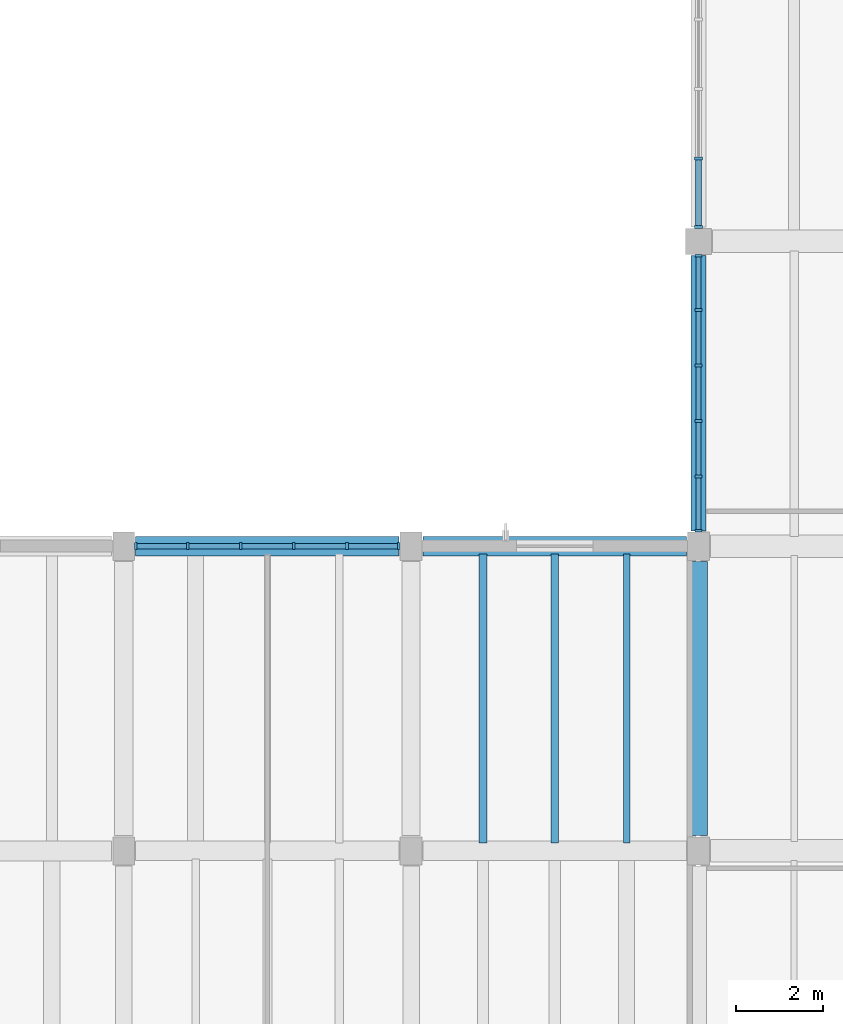
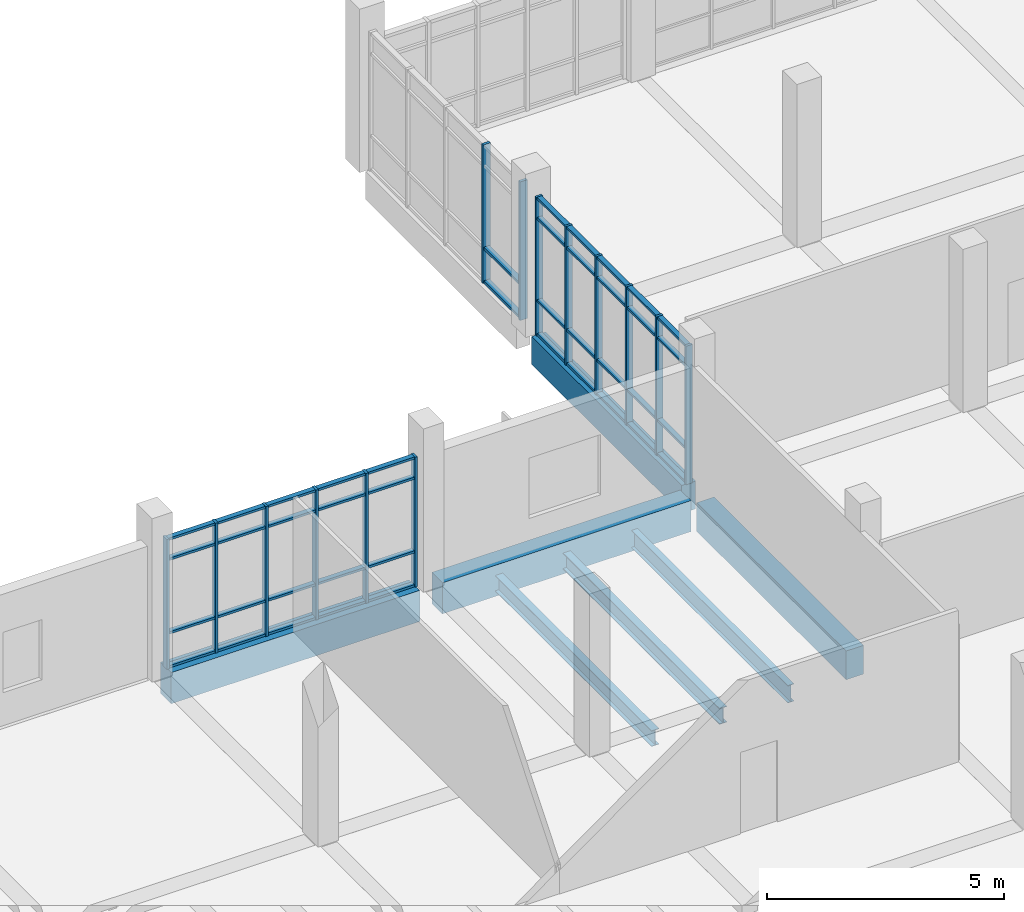
# One storey, part 6 of 67: 56 members, 7 beams, 3 elements without a shape of their own.
"""IFC4 building model written with IfcOpenShell, lengths in metres."""

from ifc_helpers import new_model, si_unit, direction, frame, origin, origin_2d, place, context, subcontext, project, spatial, rectangle, i_section, extrude, material, material_profile, profile_set, type_object, element, aggregate, save


model = new_model("IFC4")

# Units and contexts
model_context = context("Model", 3, precision=1e-05, world=origin(), true_north=direction((0.0, 1.0)))
body_context = subcontext(model_context, "Body", "Model", "MODEL_VIEW")
ifc_project = project(units=[si_unit("LENGTHUNIT", "METRE"), si_unit("AREAUNIT", "SQUARE_METRE"), si_unit("VOLUMEUNIT", "CUBIC_METRE"), si_unit("PLANEANGLEUNIT", "RADIAN"), si_unit("MASSUNIT", "GRAM", prefix="KILO")], contexts=[model_context])

# Site, building, storey
site_placement = place(None, origin())
site = spatial("IfcSite", under=ifc_project, at=site_placement, CompositionType="ELEMENT")
building_placement = place(site_placement, origin())
building = spatial("IfcBuilding", under=site, at=building_placement, Name="Ciguamira Faculty of Natural Sciences", CompositionType="ELEMENT")
storey_placement = place(building_placement, frame((0.0, 0.0, 8.39990234375)))
storey = spatial("IfcBuildingStorey", under=building, at=storey_placement, Name="L02", CompositionType="ELEMENT", Elevation=8.39990234375)

# Curtain wall, members
ifc_material_1 = material(Name="Anodized aluminium curtain wall", Category="aluminium")
curtain_wall_type_1 = type_object("IfcCurtainWallType", Name="CurtainWall_CW-10", PredefinedType="USERDEFINED", material=ifc_material_1)
curtain_wall_1_placement = place(storey_placement, origin())
curtain_wall_1 = element("IfcCurtainWall", 1, at=curtain_wall_1_placement, inside=storey, type_object=curtain_wall_type_1, Name="L02 unitised curtain wall 0058", ObjectType="UNITISED CURTAIN WALL", PredefinedType="USERDEFINED")
ifc_material_2 = material(Name="Anodized aluminium mullion", Category="aluminium")
ifc_material_profile_1 = material_profile(ifc_material_2, rectangle(XDim=0.06005859375, YDim=0.159912109375, at=origin_2d()), Name="ALU-MUL-60X160")
ifc_profile_set_1 = profile_set([ifc_material_profile_1], Name="Anodized aluminium mullion")
member_type_1 = type_object("IfcMemberType", Name="CWMullion_CWM-01", PredefinedType="MULLION", material=ifc_profile_set_1)
member_1_placement = place(storey_placement, frame((37.780029296875, 24.0, 0.0), z_axis=(0.0, 0.0, 1.0), x_axis=(1.0, 0.0, 0.0)))
member_1 = element("IfcMember", 2, at=member_1_placement, type_object=member_type_1, Name="CW-10 mullion 1", PredefinedType="MULLION", context=body_context, shape_type="SweptSolid", body=[
    extrude(rectangle(XDim=0.06005859375, YDim=0.159912109375, at=origin_2d()), origin(), (0.0, 0.0, 1.0), 3.34521484375),
])
member_2_placement = place(storey_placement, frame((38.969970703125, 24.0, 0.0), z_axis=(0.0, 0.0, 1.0), x_axis=(1.0, 0.0, 0.0)))
member_2 = element("IfcMember", 3, at=member_2_placement, type_object=member_type_1, Name="CW-10 mullion 2", PredefinedType="MULLION", context=body_context, shape_type="SweptSolid", body=[
    extrude(rectangle(XDim=0.06005859375, YDim=0.159912109375, at=origin_2d()), origin(), (0.0, 0.0, 1.0), 3.34521484375),
])
member_3_placement = place(storey_placement, frame((40.18994140625, 24.0, 0.0), z_axis=(0.0, 0.0, 1.0), x_axis=(1.0, 0.0, 0.0)))
member_3 = element("IfcMember", 4, at=member_3_placement, type_object=member_type_1, Name="CW-10 mullion 3", PredefinedType="MULLION", context=body_context, shape_type="SweptSolid", body=[
    extrude(rectangle(XDim=0.06005859375, YDim=0.159912109375, at=origin_2d()), origin(), (0.0, 0.0, 1.0), 3.34521484375),
])
member_4_placement = place(storey_placement, frame((41.409912109375, 24.0, 0.0), z_axis=(0.0, 0.0, 1.0), x_axis=(1.0, 0.0, 0.0)))
member_4 = element("IfcMember", 5, at=member_4_placement, type_object=member_type_1, Name="CW-10 mullion 4", PredefinedType="MULLION", context=body_context, shape_type="SweptSolid", body=[
    extrude(rectangle(XDim=0.06005859375, YDim=0.159912109375, at=origin_2d()), origin(), (0.0, 0.0, 1.0), 3.34521484375),
])
member_5_placement = place(storey_placement, frame((42.6298828125, 24.0, 0.0), z_axis=(0.0, 0.0, 1.0), x_axis=(1.0, 0.0, 0.0)))
member_5 = element("IfcMember", 6, at=member_5_placement, type_object=member_type_1, Name="CW-10 mullion 5", PredefinedType="MULLION", context=body_context, shape_type="SweptSolid", body=[
    extrude(rectangle(XDim=0.06005859375, YDim=0.159912109375, at=origin_2d()), origin(), (0.0, 0.0, 1.0), 3.34521484375),
])
member_6_placement = place(storey_placement, frame((43.820068359375, 24.0, 0.0), z_axis=(0.0, 0.0, 1.0), x_axis=(1.0, 0.0, 0.0)))
member_6 = element("IfcMember", 7, at=member_6_placement, type_object=member_type_1, Name="CW-10 mullion 6", PredefinedType="MULLION", context=body_context, shape_type="SweptSolid", body=[
    extrude(rectangle(XDim=0.06005859375, YDim=0.159912109375, at=origin_2d()), origin(), (0.0, 0.0, 1.0), 3.34521484375),
])

curtain_wall_type_2 = type_object("IfcCurtainWallType", Name="CurtainWall_CW-04", PredefinedType="USERDEFINED", material=ifc_material_1)
curtain_wall_2_placement = place(storey_placement, origin())
curtain_wall_2 = element("IfcCurtainWall", 8, at=curtain_wall_2_placement, inside=storey, type_object=curtain_wall_type_2, Name="L02 unitised curtain wall 0076", ObjectType="UNITISED CURTAIN WALL", PredefinedType="USERDEFINED")
member_7_placement = place(storey_placement, frame((50.699951171875, 24.35498046875, 0.0), z_axis=(0.0, 0.0, 1.0), x_axis=(0.0, 1.0, 0.0)))
member_7 = element("IfcMember", 9, at=member_7_placement, type_object=member_type_1, Name="CW-04 mullion 1", PredefinedType="MULLION", context=body_context, shape_type="SweptSolid", body=[
    extrude(rectangle(XDim=0.06005859375, YDim=0.159912109375, at=origin_2d()), origin(), (0.0, 0.0, 1.0), 3.565185546875),
])
member_8_placement = place(storey_placement, frame((50.699951171875, 25.60009765625, 0.0), z_axis=(0.0, 0.0, 1.0), x_axis=(0.0, 1.0, 0.0)))
member_8 = element("IfcMember", 10, at=member_8_placement, type_object=member_type_1, Name="CW-04 mullion 2", PredefinedType="MULLION", context=body_context, shape_type="SweptSolid", body=[
    extrude(rectangle(XDim=0.06005859375, YDim=0.159912109375, at=origin_2d()), origin(), (0.0, 0.0, 1.0), 3.565185546875),
])
member_9_placement = place(storey_placement, frame((50.699951171875, 26.875, 0.0), z_axis=(0.0, 0.0, 1.0), x_axis=(0.0, 1.0, 0.0)))
member_9 = element("IfcMember", 11, at=member_9_placement, type_object=member_type_1, Name="CW-04 mullion 3", PredefinedType="MULLION", context=body_context, shape_type="SweptSolid", body=[
    extrude(rectangle(XDim=0.06005859375, YDim=0.159912109375, at=origin_2d()), origin(), (0.0, 0.0, 1.0), 3.565185546875),
])
member_10_placement = place(storey_placement, frame((50.699951171875, 28.14990234375, 0.0), z_axis=(0.0, 0.0, 1.0), x_axis=(0.0, 1.0, 0.0)))
member_10 = element("IfcMember", 12, at=member_10_placement, type_object=member_type_1, Name="CW-04 mullion 4", PredefinedType="MULLION", context=body_context, shape_type="SweptSolid", body=[
    extrude(rectangle(XDim=0.06005859375, YDim=0.159912109375, at=origin_2d()), origin(), (0.0, 0.0, 1.0), 3.565185546875),
])
member_11_placement = place(storey_placement, frame((50.699951171875, 29.425048828125, 0.0), z_axis=(0.0, 0.0, 1.0), x_axis=(0.0, 1.0, 0.0)))
member_11 = element("IfcMember", 13, at=member_11_placement, type_object=member_type_1, Name="CW-04 mullion 5", PredefinedType="MULLION", context=body_context, shape_type="SweptSolid", body=[
    extrude(rectangle(XDim=0.06005859375, YDim=0.159912109375, at=origin_2d()), origin(), (0.0, 0.0, 1.0), 3.565185546875),
])
member_12_placement = place(storey_placement, frame((50.699951171875, 30.669921875, 0.0), z_axis=(0.0, 0.0, 1.0), x_axis=(0.0, 1.0, 0.0)))
member_12 = element("IfcMember", 14, at=member_12_placement, type_object=member_type_1, Name="CW-04 mullion 6", PredefinedType="MULLION", context=body_context, shape_type="SweptSolid", body=[
    extrude(rectangle(XDim=0.06005859375, YDim=0.159912109375, at=origin_2d()), origin(), (0.0, 0.0, 1.0), 3.565185546875),
])

curtain_wall_type_3 = type_object("IfcCurtainWallType", Name="CurtainWall_CW-05", PredefinedType="USERDEFINED", material=ifc_material_1)
curtain_wall_3_placement = place(storey_placement, origin())
curtain_wall_3 = element("IfcCurtainWall", 15, at=curtain_wall_3_placement, inside=storey, type_object=curtain_wall_type_3, Name="L02 unitised curtain wall 0077", ObjectType="UNITISED CURTAIN WALL", PredefinedType="USERDEFINED")
ifc_material_profile_2 = material_profile(ifc_material_2, rectangle(XDim=0.070068359375, YDim=0.179931640625, at=origin_2d()), Name="ALU-MUL-70X180")
ifc_profile_set_2 = profile_set([ifc_material_profile_2], Name="Anodized aluminium mullion")
member_type_2 = type_object("IfcMemberType", Name="CWMullion_CWM-02", PredefinedType="MULLION", material=ifc_profile_set_2)
member_13_placement = place(storey_placement, frame((50.699951171875, 31.3349609375, 0.0), z_axis=(0.0, 0.0, 1.0), x_axis=(0.0, 1.0, 0.0)))
member_13 = element("IfcMember", 16, at=member_13_placement, type_object=member_type_2, Name="CW-05 mullion 1", PredefinedType="MULLION", context=body_context, shape_type="SweptSolid", body=[
    extrude(rectangle(XDim=0.070068359375, YDim=0.179931640625, at=origin_2d()), origin(), (0.0, 0.0, 1.0), 3.565185546875),
])
member_14_placement = place(storey_placement, frame((50.699951171875, 32.89990234375, 0.0), z_axis=(0.0, 0.0, 1.0), x_axis=(0.0, 1.0, 0.0)))
member_14 = element("IfcMember", 17, at=member_14_placement, type_object=member_type_2, Name="CW-05 mullion 2", PredefinedType="MULLION", context=body_context, shape_type="SweptSolid", body=[
    extrude(rectangle(XDim=0.070068359375, YDim=0.179931640625, at=origin_2d()), origin(), (0.0, 0.0, 1.0), 3.565185546875),
])

# Member
ifc_material_3 = material(Name="Anodized aluminium transom", Category="aluminium")
ifc_material_profile_3 = material_profile(ifc_material_3, rectangle(XDim=0.06005859375, YDim=0.1201171875, at=origin_2d()), Name="ALU-TRN-60X120")
ifc_profile_set_3 = profile_set([ifc_material_profile_3], Name="Anodized aluminium transom")
member_type_3 = type_object("IfcMemberType", Name="CWTransom_CWT-01", PredefinedType="USERDEFINED", material=ifc_profile_set_3)
member_15_placement = place(storey_placement, frame((37.81005859375, 24.0, 0.030029296875), z_axis=(1.0, 0.0, 0.0), x_axis=(0.0, 0.0, 1.0)))
member_15 = element("IfcMember", 18, at=member_15_placement, type_object=member_type_3, Name="CW-10 transom 1.1", ObjectType="TRANSOM", PredefinedType="USERDEFINED", context=body_context, shape_type="SweptSolid", body=[
    extrude(rectangle(XDim=0.06005859375, YDim=0.1201171875, at=origin_2d()), origin(), (0.0, 0.0, 1.0), 1.1298828125),
])

member_16_placement = place(storey_placement, frame((37.81005859375, 24.0, 0.900146484375), z_axis=(1.0, 0.0, 0.0), x_axis=(0.0, 0.0, 1.0)))
member_16 = element("IfcMember", 19, at=member_16_placement, type_object=member_type_3, Name="CW-10 transom 1.2", ObjectType="TRANSOM", PredefinedType="USERDEFINED", context=body_context, shape_type="SweptSolid", body=[
    extrude(rectangle(XDim=0.06005859375, YDim=0.1201171875, at=origin_2d()), origin(), (0.0, 0.0, 1.0), 1.1298828125),
])

member_17_placement = place(storey_placement, frame((37.81005859375, 24.0, 2.795166015625), z_axis=(1.0, 0.0, 0.0), x_axis=(0.0, 0.0, 1.0)))
member_17 = element("IfcMember", 20, at=member_17_placement, type_object=member_type_3, Name="CW-10 transom 1.3", ObjectType="TRANSOM", PredefinedType="USERDEFINED", context=body_context, shape_type="SweptSolid", body=[
    extrude(rectangle(XDim=0.06005859375, YDim=0.1201171875, at=origin_2d()), origin(), (0.0, 0.0, 1.0), 1.1298828125),
])

member_18_placement = place(storey_placement, frame((37.81005859375, 24.0, 3.315185546875), z_axis=(1.0, 0.0, 0.0), x_axis=(0.0, 0.0, 1.0)))
member_18 = element("IfcMember", 21, at=member_18_placement, type_object=member_type_3, Name="CW-10 transom 1.4", ObjectType="TRANSOM", PredefinedType="USERDEFINED", context=body_context, shape_type="SweptSolid", body=[
    extrude(rectangle(XDim=0.06005859375, YDim=0.1201171875, at=origin_2d()), origin(), (0.0, 0.0, 1.0), 1.1298828125),
])

member_19_placement = place(storey_placement, frame((39.0, 24.0, 0.030029296875), z_axis=(1.0, 0.0, 0.0), x_axis=(0.0, 0.0, 1.0)))
member_19 = element("IfcMember", 22, at=member_19_placement, type_object=member_type_3, Name="CW-10 transom 2.1", ObjectType="TRANSOM", PredefinedType="USERDEFINED", context=body_context, shape_type="SweptSolid", body=[
    extrude(rectangle(XDim=0.06005859375, YDim=0.1201171875, at=origin_2d()), origin(), (0.0, 0.0, 1.0), 1.159912109375),
])

member_20_placement = place(storey_placement, frame((39.0, 24.0, 0.900146484375), z_axis=(1.0, 0.0, 0.0), x_axis=(0.0, 0.0, 1.0)))
member_20 = element("IfcMember", 23, at=member_20_placement, type_object=member_type_3, Name="CW-10 transom 2.2", ObjectType="TRANSOM", PredefinedType="USERDEFINED", context=body_context, shape_type="SweptSolid", body=[
    extrude(rectangle(XDim=0.06005859375, YDim=0.1201171875, at=origin_2d()), origin(), (0.0, 0.0, 1.0), 1.159912109375),
])

member_21_placement = place(storey_placement, frame((39.0, 24.0, 2.795166015625), z_axis=(1.0, 0.0, 0.0), x_axis=(0.0, 0.0, 1.0)))
member_21 = element("IfcMember", 24, at=member_21_placement, type_object=member_type_3, Name="CW-10 transom 2.3", ObjectType="TRANSOM", PredefinedType="USERDEFINED", context=body_context, shape_type="SweptSolid", body=[
    extrude(rectangle(XDim=0.06005859375, YDim=0.1201171875, at=origin_2d()), origin(), (0.0, 0.0, 1.0), 1.159912109375),
])

member_22_placement = place(storey_placement, frame((39.0, 24.0, 3.315185546875), z_axis=(1.0, 0.0, 0.0), x_axis=(0.0, 0.0, 1.0)))
member_22 = element("IfcMember", 25, at=member_22_placement, type_object=member_type_3, Name="CW-10 transom 2.4", ObjectType="TRANSOM", PredefinedType="USERDEFINED", context=body_context, shape_type="SweptSolid", body=[
    extrude(rectangle(XDim=0.06005859375, YDim=0.1201171875, at=origin_2d()), origin(), (0.0, 0.0, 1.0), 1.159912109375),
])

member_23_placement = place(storey_placement, frame((40.219970703125, 24.0, 0.030029296875), z_axis=(1.0, 0.0, 0.0), x_axis=(0.0, 0.0, 1.0)))
member_23 = element("IfcMember", 26, at=member_23_placement, type_object=member_type_3, Name="CW-10 transom 3.1", ObjectType="TRANSOM", PredefinedType="USERDEFINED", context=body_context, shape_type="SweptSolid", body=[
    extrude(rectangle(XDim=0.06005859375, YDim=0.1201171875, at=origin_2d()), origin(), (0.0, 0.0, 1.0), 1.159912109375),
])

member_24_placement = place(storey_placement, frame((40.219970703125, 24.0, 0.900146484375), z_axis=(1.0, 0.0, 0.0), x_axis=(0.0, 0.0, 1.0)))
member_24 = element("IfcMember", 27, at=member_24_placement, type_object=member_type_3, Name="CW-10 transom 3.2", ObjectType="TRANSOM", PredefinedType="USERDEFINED", context=body_context, shape_type="SweptSolid", body=[
    extrude(rectangle(XDim=0.06005859375, YDim=0.1201171875, at=origin_2d()), origin(), (0.0, 0.0, 1.0), 1.159912109375),
])

member_25_placement = place(storey_placement, frame((40.219970703125, 24.0, 2.795166015625), z_axis=(1.0, 0.0, 0.0), x_axis=(0.0, 0.0, 1.0)))
member_25 = element("IfcMember", 28, at=member_25_placement, type_object=member_type_3, Name="CW-10 transom 3.3", ObjectType="TRANSOM", PredefinedType="USERDEFINED", context=body_context, shape_type="SweptSolid", body=[
    extrude(rectangle(XDim=0.06005859375, YDim=0.1201171875, at=origin_2d()), origin(), (0.0, 0.0, 1.0), 1.159912109375),
])

member_26_placement = place(storey_placement, frame((40.219970703125, 24.0, 3.315185546875), z_axis=(1.0, 0.0, 0.0), x_axis=(0.0, 0.0, 1.0)))
member_26 = element("IfcMember", 29, at=member_26_placement, type_object=member_type_3, Name="CW-10 transom 3.4", ObjectType="TRANSOM", PredefinedType="USERDEFINED", context=body_context, shape_type="SweptSolid", body=[
    extrude(rectangle(XDim=0.06005859375, YDim=0.1201171875, at=origin_2d()), origin(), (0.0, 0.0, 1.0), 1.159912109375),
])

member_27_placement = place(storey_placement, frame((41.43994140625, 24.0, 0.030029296875), z_axis=(1.0, 0.0, 0.0), x_axis=(0.0, 0.0, 1.0)))
member_27 = element("IfcMember", 30, at=member_27_placement, type_object=member_type_3, Name="CW-10 transom 4.1", ObjectType="TRANSOM", PredefinedType="USERDEFINED", context=body_context, shape_type="SweptSolid", body=[
    extrude(rectangle(XDim=0.06005859375, YDim=0.1201171875, at=origin_2d()), origin(), (0.0, 0.0, 1.0), 1.16015625),
])

member_28_placement = place(storey_placement, frame((41.43994140625, 24.0, 0.900146484375), z_axis=(1.0, 0.0, 0.0), x_axis=(0.0, 0.0, 1.0)))
member_28 = element("IfcMember", 31, at=member_28_placement, type_object=member_type_3, Name="CW-10 transom 4.2", ObjectType="TRANSOM", PredefinedType="USERDEFINED", context=body_context, shape_type="SweptSolid", body=[
    extrude(rectangle(XDim=0.06005859375, YDim=0.1201171875, at=origin_2d()), origin(), (0.0, 0.0, 1.0), 1.16015625),
])

member_29_placement = place(storey_placement, frame((41.43994140625, 24.0, 2.795166015625), z_axis=(1.0, 0.0, 0.0), x_axis=(0.0, 0.0, 1.0)))
member_29 = element("IfcMember", 32, at=member_29_placement, type_object=member_type_3, Name="CW-10 transom 4.3", ObjectType="TRANSOM", PredefinedType="USERDEFINED", context=body_context, shape_type="SweptSolid", body=[
    extrude(rectangle(XDim=0.06005859375, YDim=0.1201171875, at=origin_2d()), origin(), (0.0, 0.0, 1.0), 1.16015625),
])

member_30_placement = place(storey_placement, frame((41.43994140625, 24.0, 3.315185546875), z_axis=(1.0, 0.0, 0.0), x_axis=(0.0, 0.0, 1.0)))
member_30 = element("IfcMember", 33, at=member_30_placement, type_object=member_type_3, Name="CW-10 transom 4.4", ObjectType="TRANSOM", PredefinedType="USERDEFINED", context=body_context, shape_type="SweptSolid", body=[
    extrude(rectangle(XDim=0.06005859375, YDim=0.1201171875, at=origin_2d()), origin(), (0.0, 0.0, 1.0), 1.16015625),
])

member_31_placement = place(storey_placement, frame((42.659912109375, 24.0, 0.030029296875), z_axis=(1.0, 0.0, 0.0), x_axis=(0.0, 0.0, 1.0)))
member_31 = element("IfcMember", 34, at=member_31_placement, type_object=member_type_3, Name="CW-10 transom 5.1", ObjectType="TRANSOM", PredefinedType="USERDEFINED", context=body_context, shape_type="SweptSolid", body=[
    extrude(rectangle(XDim=0.06005859375, YDim=0.1201171875, at=origin_2d()), origin(), (0.0, 0.0, 1.0), 1.130126953125),
])

member_32_placement = place(storey_placement, frame((42.659912109375, 24.0, 0.900146484375), z_axis=(1.0, 0.0, 0.0), x_axis=(0.0, 0.0, 1.0)))
member_32 = element("IfcMember", 35, at=member_32_placement, type_object=member_type_3, Name="CW-10 transom 5.2", ObjectType="TRANSOM", PredefinedType="USERDEFINED", context=body_context, shape_type="SweptSolid", body=[
    extrude(rectangle(XDim=0.06005859375, YDim=0.1201171875, at=origin_2d()), origin(), (0.0, 0.0, 1.0), 1.130126953125),
])

member_33_placement = place(storey_placement, frame((42.659912109375, 24.0, 2.795166015625), z_axis=(1.0, 0.0, 0.0), x_axis=(0.0, 0.0, 1.0)))
member_33 = element("IfcMember", 36, at=member_33_placement, type_object=member_type_3, Name="CW-10 transom 5.3", ObjectType="TRANSOM", PredefinedType="USERDEFINED", context=body_context, shape_type="SweptSolid", body=[
    extrude(rectangle(XDim=0.06005859375, YDim=0.1201171875, at=origin_2d()), origin(), (0.0, 0.0, 1.0), 1.130126953125),
])

member_34_placement = place(storey_placement, frame((42.659912109375, 24.0, 3.315185546875), z_axis=(1.0, 0.0, 0.0), x_axis=(0.0, 0.0, 1.0)))
member_34 = element("IfcMember", 37, at=member_34_placement, type_object=member_type_3, Name="CW-10 transom 5.4", ObjectType="TRANSOM", PredefinedType="USERDEFINED", context=body_context, shape_type="SweptSolid", body=[
    extrude(rectangle(XDim=0.06005859375, YDim=0.1201171875, at=origin_2d()), origin(), (0.0, 0.0, 1.0), 1.130126953125),
])

aggregate(curtain_wall_1, [member_1, member_2, member_3, member_4, member_5, member_6, member_15, member_16, member_17, member_18, member_19, member_20, member_21, member_22, member_23, member_24, member_25, member_26, member_27, member_28, member_29, member_30, member_31, member_32, member_33, member_34])

member_35_placement = place(storey_placement, frame((50.699951171875, 24.385009765625, 0.030029296875), z_axis=(0.0, 1.0, 0.0), x_axis=(0.0, 0.0, 1.0)))
member_35 = element("IfcMember", 38, at=member_35_placement, type_object=member_type_3, Name="CW-04 transom 1.1", ObjectType="TRANSOM", PredefinedType="USERDEFINED", context=body_context, shape_type="SweptSolid", body=[
    extrude(rectangle(XDim=0.06005859375, YDim=0.1201171875, at=origin_2d()), origin(), (0.0, 0.0, 1.0), 1.18505859375),
])

member_36_placement = place(storey_placement, frame((50.699951171875, 24.385009765625, 0.900146484375), z_axis=(0.0, 1.0, 0.0), x_axis=(0.0, 0.0, 1.0)))
member_36 = element("IfcMember", 39, at=member_36_placement, type_object=member_type_3, Name="CW-04 transom 1.2", ObjectType="TRANSOM", PredefinedType="USERDEFINED", context=body_context, shape_type="SweptSolid", body=[
    extrude(rectangle(XDim=0.06005859375, YDim=0.1201171875, at=origin_2d()), origin(), (0.0, 0.0, 1.0), 1.18505859375),
])

member_37_placement = place(storey_placement, frame((50.699951171875, 24.385009765625, 3.01513671875), z_axis=(0.0, 1.0, 0.0), x_axis=(0.0, 0.0, 1.0)))
member_37 = element("IfcMember", 40, at=member_37_placement, type_object=member_type_3, Name="CW-04 transom 1.3", ObjectType="TRANSOM", PredefinedType="USERDEFINED", context=body_context, shape_type="SweptSolid", body=[
    extrude(rectangle(XDim=0.06005859375, YDim=0.1201171875, at=origin_2d()), origin(), (0.0, 0.0, 1.0), 1.18505859375),
])

member_38_placement = place(storey_placement, frame((50.699951171875, 24.385009765625, 3.53515625), z_axis=(0.0, 1.0, 0.0), x_axis=(0.0, 0.0, 1.0)))
member_38 = element("IfcMember", 41, at=member_38_placement, type_object=member_type_3, Name="CW-04 transom 1.4", ObjectType="TRANSOM", PredefinedType="USERDEFINED", context=body_context, shape_type="SweptSolid", body=[
    extrude(rectangle(XDim=0.06005859375, YDim=0.1201171875, at=origin_2d()), origin(), (0.0, 0.0, 1.0), 1.18505859375),
])

member_39_placement = place(storey_placement, frame((50.699951171875, 25.6298828125, 0.030029296875), z_axis=(0.0, 1.0, 0.0), x_axis=(0.0, 0.0, 1.0)))
member_39 = element("IfcMember", 42, at=member_39_placement, type_object=member_type_3, Name="CW-04 transom 2.1", ObjectType="TRANSOM", PredefinedType="USERDEFINED", context=body_context, shape_type="SweptSolid", body=[
    extrude(rectangle(XDim=0.06005859375, YDim=0.1201171875, at=origin_2d()), origin(), (0.0, 0.0, 1.0), 1.215087890625),
])

member_40_placement = place(storey_placement, frame((50.699951171875, 25.6298828125, 0.900146484375), z_axis=(0.0, 1.0, 0.0), x_axis=(0.0, 0.0, 1.0)))
member_40 = element("IfcMember", 43, at=member_40_placement, type_object=member_type_3, Name="CW-04 transom 2.2", ObjectType="TRANSOM", PredefinedType="USERDEFINED", context=body_context, shape_type="SweptSolid", body=[
    extrude(rectangle(XDim=0.06005859375, YDim=0.1201171875, at=origin_2d()), origin(), (0.0, 0.0, 1.0), 1.215087890625),
])

member_41_placement = place(storey_placement, frame((50.699951171875, 25.6298828125, 3.01513671875), z_axis=(0.0, 1.0, 0.0), x_axis=(0.0, 0.0, 1.0)))
member_41 = element("IfcMember", 44, at=member_41_placement, type_object=member_type_3, Name="CW-04 transom 2.3", ObjectType="TRANSOM", PredefinedType="USERDEFINED", context=body_context, shape_type="SweptSolid", body=[
    extrude(rectangle(XDim=0.06005859375, YDim=0.1201171875, at=origin_2d()), origin(), (0.0, 0.0, 1.0), 1.215087890625),
])

member_42_placement = place(storey_placement, frame((50.699951171875, 25.6298828125, 3.53515625), z_axis=(0.0, 1.0, 0.0), x_axis=(0.0, 0.0, 1.0)))
member_42 = element("IfcMember", 45, at=member_42_placement, type_object=member_type_3, Name="CW-04 transom 2.4", ObjectType="TRANSOM", PredefinedType="USERDEFINED", context=body_context, shape_type="SweptSolid", body=[
    extrude(rectangle(XDim=0.06005859375, YDim=0.1201171875, at=origin_2d()), origin(), (0.0, 0.0, 1.0), 1.215087890625),
])

member_43_placement = place(storey_placement, frame((50.699951171875, 26.905029296875, 0.030029296875), z_axis=(0.0, 1.0, 0.0), x_axis=(0.0, 0.0, 1.0)))
member_43 = element("IfcMember", 46, at=member_43_placement, type_object=member_type_3, Name="CW-04 transom 3.1", ObjectType="TRANSOM", PredefinedType="USERDEFINED", context=body_context, shape_type="SweptSolid", body=[
    extrude(rectangle(XDim=0.06005859375, YDim=0.1201171875, at=origin_2d()), origin(), (0.0, 0.0, 1.0), 1.215087890625),
])

member_44_placement = place(storey_placement, frame((50.699951171875, 26.905029296875, 0.900146484375), z_axis=(0.0, 1.0, 0.0), x_axis=(0.0, 0.0, 1.0)))
member_44 = element("IfcMember", 47, at=member_44_placement, type_object=member_type_3, Name="CW-04 transom 3.2", ObjectType="TRANSOM", PredefinedType="USERDEFINED", context=body_context, shape_type="SweptSolid", body=[
    extrude(rectangle(XDim=0.06005859375, YDim=0.1201171875, at=origin_2d()), origin(), (0.0, 0.0, 1.0), 1.215087890625),
])

member_45_placement = place(storey_placement, frame((50.699951171875, 26.905029296875, 3.01513671875), z_axis=(0.0, 1.0, 0.0), x_axis=(0.0, 0.0, 1.0)))
member_45 = element("IfcMember", 48, at=member_45_placement, type_object=member_type_3, Name="CW-04 transom 3.3", ObjectType="TRANSOM", PredefinedType="USERDEFINED", context=body_context, shape_type="SweptSolid", body=[
    extrude(rectangle(XDim=0.06005859375, YDim=0.1201171875, at=origin_2d()), origin(), (0.0, 0.0, 1.0), 1.215087890625),
])

member_46_placement = place(storey_placement, frame((50.699951171875, 26.905029296875, 3.53515625), z_axis=(0.0, 1.0, 0.0), x_axis=(0.0, 0.0, 1.0)))
member_46 = element("IfcMember", 49, at=member_46_placement, type_object=member_type_3, Name="CW-04 transom 3.4", ObjectType="TRANSOM", PredefinedType="USERDEFINED", context=body_context, shape_type="SweptSolid", body=[
    extrude(rectangle(XDim=0.06005859375, YDim=0.1201171875, at=origin_2d()), origin(), (0.0, 0.0, 1.0), 1.215087890625),
])

member_47_placement = place(storey_placement, frame((50.699951171875, 28.179931640625, 0.030029296875), z_axis=(0.0, 1.0, 0.0), x_axis=(0.0, 0.0, 1.0)))
member_47 = element("IfcMember", 50, at=member_47_placement, type_object=member_type_3, Name="CW-04 transom 4.1", ObjectType="TRANSOM", PredefinedType="USERDEFINED", context=body_context, shape_type="SweptSolid", body=[
    extrude(rectangle(XDim=0.06005859375, YDim=0.1201171875, at=origin_2d()), origin(), (0.0, 0.0, 1.0), 1.215087890625),
])

member_48_placement = place(storey_placement, frame((50.699951171875, 28.179931640625, 0.900146484375), z_axis=(0.0, 1.0, 0.0), x_axis=(0.0, 0.0, 1.0)))
member_48 = element("IfcMember", 51, at=member_48_placement, type_object=member_type_3, Name="CW-04 transom 4.2", ObjectType="TRANSOM", PredefinedType="USERDEFINED", context=body_context, shape_type="SweptSolid", body=[
    extrude(rectangle(XDim=0.06005859375, YDim=0.1201171875, at=origin_2d()), origin(), (0.0, 0.0, 1.0), 1.215087890625),
])

member_49_placement = place(storey_placement, frame((50.699951171875, 28.179931640625, 3.01513671875), z_axis=(0.0, 1.0, 0.0), x_axis=(0.0, 0.0, 1.0)))
member_49 = element("IfcMember", 52, at=member_49_placement, type_object=member_type_3, Name="CW-04 transom 4.3", ObjectType="TRANSOM", PredefinedType="USERDEFINED", context=body_context, shape_type="SweptSolid", body=[
    extrude(rectangle(XDim=0.06005859375, YDim=0.1201171875, at=origin_2d()), origin(), (0.0, 0.0, 1.0), 1.215087890625),
])

member_50_placement = place(storey_placement, frame((50.699951171875, 28.179931640625, 3.53515625), z_axis=(0.0, 1.0, 0.0), x_axis=(0.0, 0.0, 1.0)))
member_50 = element("IfcMember", 53, at=member_50_placement, type_object=member_type_3, Name="CW-04 transom 4.4", ObjectType="TRANSOM", PredefinedType="USERDEFINED", context=body_context, shape_type="SweptSolid", body=[
    extrude(rectangle(XDim=0.06005859375, YDim=0.1201171875, at=origin_2d()), origin(), (0.0, 0.0, 1.0), 1.215087890625),
])

member_51_placement = place(storey_placement, frame((50.699951171875, 29.455078125, 0.030029296875), z_axis=(0.0, 1.0, 0.0), x_axis=(0.0, 0.0, 1.0)))
member_51 = element("IfcMember", 54, at=member_51_placement, type_object=member_type_3, Name="CW-04 transom 5.1", ObjectType="TRANSOM", PredefinedType="USERDEFINED", context=body_context, shape_type="SweptSolid", body=[
    extrude(rectangle(XDim=0.06005859375, YDim=0.1201171875, at=origin_2d()), origin(), (0.0, 0.0, 1.0), 1.184814453125),
])

member_52_placement = place(storey_placement, frame((50.699951171875, 29.455078125, 0.900146484375), z_axis=(0.0, 1.0, 0.0), x_axis=(0.0, 0.0, 1.0)))
member_52 = element("IfcMember", 55, at=member_52_placement, type_object=member_type_3, Name="CW-04 transom 5.2", ObjectType="TRANSOM", PredefinedType="USERDEFINED", context=body_context, shape_type="SweptSolid", body=[
    extrude(rectangle(XDim=0.06005859375, YDim=0.1201171875, at=origin_2d()), origin(), (0.0, 0.0, 1.0), 1.184814453125),
])

member_53_placement = place(storey_placement, frame((50.699951171875, 29.455078125, 3.01513671875), z_axis=(0.0, 1.0, 0.0), x_axis=(0.0, 0.0, 1.0)))
member_53 = element("IfcMember", 56, at=member_53_placement, type_object=member_type_3, Name="CW-04 transom 5.3", ObjectType="TRANSOM", PredefinedType="USERDEFINED", context=body_context, shape_type="SweptSolid", body=[
    extrude(rectangle(XDim=0.06005859375, YDim=0.1201171875, at=origin_2d()), origin(), (0.0, 0.0, 1.0), 1.184814453125),
])

member_54_placement = place(storey_placement, frame((50.699951171875, 29.455078125, 3.53515625), z_axis=(0.0, 1.0, 0.0), x_axis=(0.0, 0.0, 1.0)))
member_54 = element("IfcMember", 57, at=member_54_placement, type_object=member_type_3, Name="CW-04 transom 5.4", ObjectType="TRANSOM", PredefinedType="USERDEFINED", context=body_context, shape_type="SweptSolid", body=[
    extrude(rectangle(XDim=0.06005859375, YDim=0.1201171875, at=origin_2d()), origin(), (0.0, 0.0, 1.0), 1.184814453125),
])

aggregate(curtain_wall_2, [member_7, member_8, member_9, member_10, member_11, member_12, member_35, member_36, member_37, member_38, member_39, member_40, member_41, member_42, member_43, member_44, member_45, member_46, member_47, member_48, member_49, member_50, member_51, member_52, member_53, member_54])

ifc_material_profile_4 = material_profile(ifc_material_3, rectangle(XDim=0.070068359375, YDim=0.139892578125, at=origin_2d()), Name="ALU-TRN-70X140")
ifc_profile_set_4 = profile_set([ifc_material_profile_4], Name="Anodized aluminium transom")
member_type_4 = type_object("IfcMemberType", Name="CWTransom_CWT-02", PredefinedType="USERDEFINED", material=ifc_profile_set_4)
member_55_placement = place(storey_placement, frame((50.699951171875, 31.3701171875, 0.03515625), z_axis=(0.0, 1.0, 0.0), x_axis=(0.0, 0.0, 1.0)))
member_55 = element("IfcMember", 58, at=member_55_placement, type_object=member_type_4, Name="CW-05 transom 1.1", ObjectType="TRANSOM", PredefinedType="USERDEFINED", context=body_context, shape_type="SweptSolid", body=[
    extrude(rectangle(XDim=0.070068359375, YDim=0.139892578125, at=origin_2d()), origin(), (0.0, 0.0, 1.0), 1.494873046875),
])

member_56_placement = place(storey_placement, frame((50.699951171875, 31.3701171875, 0.900146484375), z_axis=(0.0, 1.0, 0.0), x_axis=(0.0, 0.0, 1.0)))
member_56 = element("IfcMember", 59, at=member_56_placement, type_object=member_type_4, Name="CW-05 transom 1.2", ObjectType="TRANSOM", PredefinedType="USERDEFINED", context=body_context, shape_type="SweptSolid", body=[
    extrude(rectangle(XDim=0.070068359375, YDim=0.139892578125, at=origin_2d()), origin(), (0.0, 0.0, 1.0), 1.494873046875),
])

aggregate(curtain_wall_3, [member_13, member_14, member_55, member_56])

# Beams
ifc_material_4 = material(Name="Concrete C40/50", Category="concrete")
ifc_material_profile_5 = material_profile(ifc_material_4, rectangle(XDim=0.449951171875, YDim=0.800048828125, at=origin_2d()), Name="RC-BM-450X800")
ifc_profile_set_5 = profile_set([ifc_material_profile_5], Name="Concrete C40/50")
beam_type_1 = type_object("IfcBeamType", Name="RCBeam_BG-05_RC-BM-450X800", PredefinedType="BEAM", material=ifc_profile_set_5)
for number, where, z_axis, x_axis, name in (
    (60, (37.77490234375, 24.0, -0.39990234375), (1.0, 0.0, 0.0), (0.0, 1.0, 0.0), "L02 RC girder EW-0753"),
    (61, (44.375, 24.0, -0.39990234375), (1.0, 0.0, 0.0), (0.0, 1.0, 0.0), "L02 RC girder EW-0754"),
):
    element("IfcBeam", number, at=place(storey_placement, frame(where, z_axis=z_axis, x_axis=x_axis)), inside=storey, type_object=beam_type_1, Name=name, PredefinedType="BEAM", context=body_context, shape_type="SweptSolid", body=[
        extrude(rectangle(XDim=0.449951171875, YDim=0.800048828125, at=origin_2d()), origin(), (0.0, 0.0, 1.0), 6.050048828125),
    ])
ifc_material_profile_6 = material_profile(ifc_material_4, rectangle(XDim=0.419921875, YDim=0.739990234375, at=origin_2d()), Name="RC-BM-420X740")
ifc_profile_set_6 = profile_set([ifc_material_profile_6], Name="Concrete C40/50")
beam_type_2 = type_object("IfcBeamType", Name="RCBeam_BG-07_RC-BM-420X740", PredefinedType="BEAM", material=ifc_profile_set_6)
beam_1_placement = place(storey_placement, frame((50.699951171875, 17.35009765625, -0.369873046875), z_axis=(0.0, 1.0, 0.0), x_axis=(-1.0, 0.0, 0.0)))
element("IfcBeam", 62, at=beam_1_placement, inside=storey, type_object=beam_type_2, Name="L02 girder NS-0894", PredefinedType="BEAM", context=body_context, shape_type="SweptSolid", body=[
    extrude(rectangle(XDim=0.419921875, YDim=0.739990234375, at=origin_2d()), origin(), (0.0, 0.0, 1.0), 6.2998046875),
])
ifc_material_5 = material(Name="Precast concrete C40/50", Category="concrete")
ifc_material_profile_7 = material_profile(ifc_material_5, rectangle(XDim=0.340087890625, YDim=0.719970703125, at=origin_2d()), Name="RC-SP-340X720")
ifc_profile_set_7 = profile_set([ifc_material_profile_7], Name="Precast concrete C40/50")
beam_type_3 = type_object("IfcBeamType", Name="RCBeam_SP-03_RC-SP-340X720", PredefinedType="SPANDREL", material=ifc_profile_set_7)
beam_2_placement = place(storey_placement, frame((50.699951171875, 24.35009765625, -0.35986328125), z_axis=(0.0, 1.0, 0.0), x_axis=(-1.0, 0.0, 0.0)))
element("IfcBeam", 63, at=beam_2_placement, inside=storey, type_object=beam_type_3, Name="L02 girder NS-0895", PredefinedType="SPANDREL", context=body_context, shape_type="SweptSolid", body=[
    extrude(rectangle(XDim=0.340087890625, YDim=0.719970703125, at=origin_2d()), origin(), (0.0, 0.0, 1.0), 6.324951171875),
])
ifc_material_6 = material(Name="Steel ASTM A992 Grade 50", Category="steel")
ifc_material_profile_8 = material_profile(ifc_material_6, i_section(OverallWidth=0.1787109375, OverallDepth=0.408935546875, WebThickness=0.0087890625, FlangeThickness=0.014404296875, at=origin_2d()), Name="W16X45")
ifc_profile_set_8 = profile_set([ifc_material_profile_8], Name="Steel ASTM A992 Grade 50")
beam_type_4 = type_object("IfcBeamType", Name="SteelJoist_SJ-19_W16X45", PredefinedType="JOIST", material=ifc_profile_set_8)
beam_3_placement = place(storey_placement, frame((45.75, 17.18505859375, -0.46435546875), z_axis=(0.0, 1.0, 0.0), x_axis=(-1.0, 0.0, 0.0)))
element("IfcBeam", 64, at=beam_3_placement, inside=storey, type_object=beam_type_4, Name="L02 composite steel joist 00698", PredefinedType="JOIST", context=body_context, shape_type="SweptSolid", body=[
    extrude(i_section(OverallWidth=0.1787109375, OverallDepth=0.408935546875, WebThickness=0.0087890625, FlangeThickness=0.014404296875, at=origin_2d()), origin(), (0.0, 0.0, 1.0), 6.6298828125),
])
ifc_material_profile_9 = material_profile(ifc_material_6, i_section(OverallWidth=0.180908203125, OverallDepth=0.41650390625, WebThickness=0.010986328125, FlangeThickness=0.01806640625, at=origin_2d()), Name="W16X57")
ifc_profile_set_9 = profile_set([ifc_material_profile_9], Name="Steel ASTM A992 Grade 50")
beam_type_5 = type_object("IfcBeamType", Name="SteelJoist_SJ-20_W16X57", PredefinedType="JOIST", material=ifc_profile_set_9)
beam_4_placement = place(storey_placement, frame((47.39990234375, 17.18505859375, -0.46826171875), z_axis=(0.0, 1.0, 0.0), x_axis=(-1.0, 0.0, 0.0)))
element("IfcBeam", 65, at=beam_4_placement, inside=storey, type_object=beam_type_5, Name="L02 composite steel joist 00699", PredefinedType="JOIST", context=body_context, shape_type="SweptSolid", body=[
    extrude(i_section(OverallWidth=0.180908203125, OverallDepth=0.41650390625, WebThickness=0.010986328125, FlangeThickness=0.01806640625, at=origin_2d()), origin(), (0.0, 0.0, 1.0), 6.6298828125),
])
ifc_material_profile_10 = material_profile(ifc_material_6, i_section(OverallWidth=0.15234375, OverallDepth=0.449462890625, WebThickness=0.007568359375, FlangeThickness=0.0107421875, at=origin_2d()), Name="W18X35")
ifc_profile_set_10 = profile_set([ifc_material_profile_10], Name="Steel ASTM A992 Grade 50")
beam_type_6 = type_object("IfcBeamType", Name="SteelJoist_SJ-21_W18X35", PredefinedType="JOIST", material=ifc_profile_set_10)
beam_5_placement = place(storey_placement, frame((49.050048828125, 17.18505859375, -0.484619140625), z_axis=(0.0, 1.0, 0.0), x_axis=(-1.0, 0.0, 0.0)))
element("IfcBeam", 66, at=beam_5_placement, inside=storey, type_object=beam_type_6, Name="L02 composite steel joist 00700", PredefinedType="JOIST", context=body_context, shape_type="SweptSolid", body=[
    extrude(i_section(OverallWidth=0.15234375, OverallDepth=0.449462890625, WebThickness=0.007568359375, FlangeThickness=0.0107421875, at=origin_2d()), origin(), (0.0, 0.0, 1.0), 6.6298828125),
])

save(model, "model.ifc")
